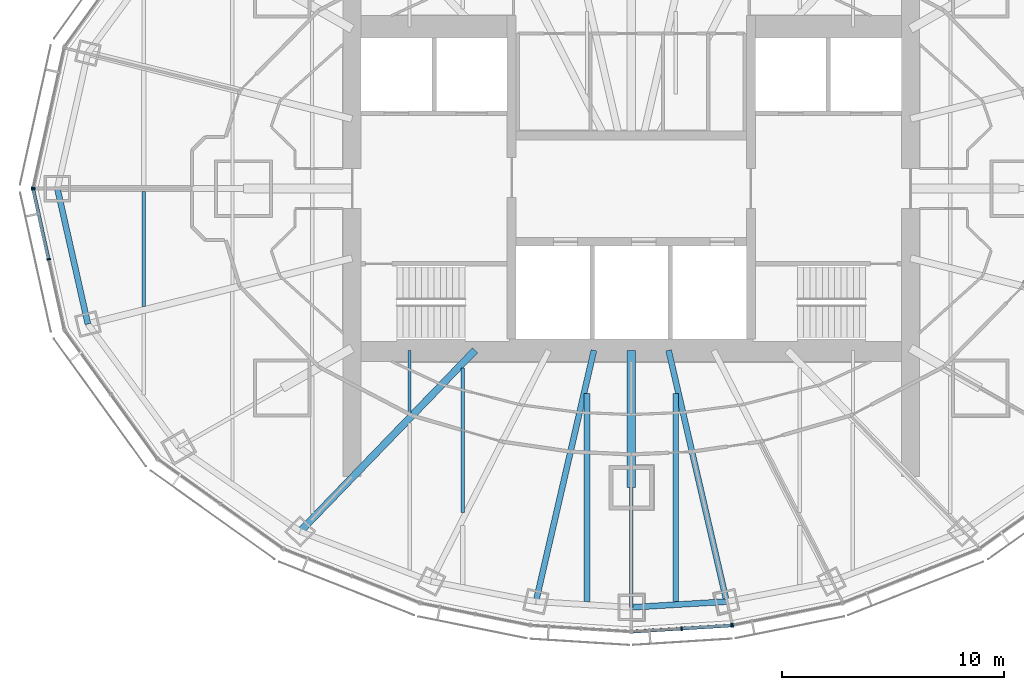
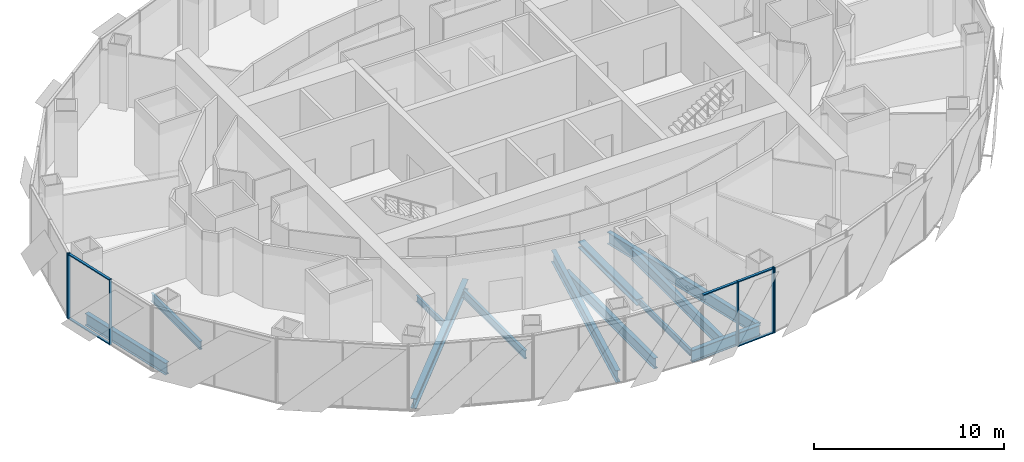
# One storey, part 3 of 17: 12 beams, 11 members, 4 elements without a shape of their own.
"""IFC4 building model written with IfcOpenShell, lengths in metres."""

from ifc_helpers import new_model, si_unit, direction, frame, origin, origin_2d, place, context, subcontext, project, spatial, rectangle, i_section, extrude, material, material_profile, profile_set, type_object, element, aggregate, save


model = new_model("IFC4")

# Units and contexts
model_context = context("Model", 3, precision=1e-05, world=origin(), true_north=direction((0.0, 1.0)))
body_context = subcontext(model_context, "Body", "Model", "MODEL_VIEW")
ifc_project = project(units=[si_unit("LENGTHUNIT", "METRE"), si_unit("AREAUNIT", "SQUARE_METRE"), si_unit("VOLUMEUNIT", "CUBIC_METRE"), si_unit("PLANEANGLEUNIT", "RADIAN"), si_unit("MASSUNIT", "GRAM", prefix="KILO")], contexts=[model_context])

# Site, building, storey
site_placement = place(None, origin())
site = spatial("IfcSite", under=ifc_project, at=site_placement, CompositionType="ELEMENT")
building_placement = place(site_placement, origin())
building = spatial("IfcBuilding", under=site, at=building_placement, Name="Lantaw Convention Tower", CompositionType="ELEMENT")
storey_placement = place(building_placement, frame((0.0, 0.0, 224.199951171875)))
storey = spatial("IfcBuildingStorey", under=building, at=storey_placement, Name="L52", CompositionType="ELEMENT", Elevation=224.199951171875)

# Beams
ifc_material_1 = material(Name="Steel ASTM A992", Category="steel")
ifc_material_profile_1 = material_profile(ifc_material_1, i_section(OverallWidth=0.2666015625, OverallDepth=0.76953125, WebThickness=0.015625, FlangeThickness=0.025390625, FilletRadius=0.0126953125, at=origin_2d()), Name="W30X132")
ifc_profile_set_1 = profile_set([ifc_material_profile_1], Name="Steel ASTM A992")
beam_type_1 = type_object("IfcBeamType", Name="Beam E W30X132", PredefinedType="SPANDREL", material=ifc_profile_set_1)
beam_1_placement = place(storey_placement, frame((-25.89990234375, 0.0, -0.53466796875), z_axis=(0.219857926596, -0.97553190215, 0.0), x_axis=(0.97553190215, 0.219857926596, 0.0)))
element("IfcBeam", 1, at=beam_1_placement, inside=storey, type_object=beam_type_1, Name="Edge beam 13", PredefinedType="SPANDREL", context=body_context, shape_type="SweptSolid", body=[
    extrude(i_section(OverallWidth=0.2666015625, OverallDepth=0.76953125, WebThickness=0.015625, FlangeThickness=0.025390625, FilletRadius=0.0126953125, at=origin_2d()), origin(), (0.0, 0.0, 1.0), 6.267333984375),
])
beam_2_placement = place(storey_placement, frame((0.0, -18.89990234375, -0.53466796875), z_axis=(0.998210730897, 0.059794119452, 0.0), x_axis=(-0.059794119452, 0.998210730897, 0.0)))
element("IfcBeam", 2, at=beam_2_placement, inside=storey, type_object=beam_type_1, Name="Edge beam 19", PredefinedType="SPANDREL", context=body_context, shape_type="SweptSolid", body=[
    extrude(i_section(OverallWidth=0.2666015625, OverallDepth=0.76953125, WebThickness=0.015625, FlangeThickness=0.025390625, FilletRadius=0.0126953125, at=origin_2d()), origin(), (0.0, 0.0, 1.0), 4.311767578125),
])
ifc_material_profile_2 = material_profile(ifc_material_1, i_section(OverallWidth=0.140380859375, OverallDepth=0.40380859375, WebThickness=0.007080078125, FlangeThickness=0.01123046875, FilletRadius=0.01025390625, at=origin_2d()), Name="W16X31")
ifc_profile_set_2 = profile_set([ifc_material_profile_2], Name="Steel ASTM A992")
beam_type_2 = type_object("IfcBeamType", Name="Beam G W16X31", PredefinedType="BEAM", material=ifc_profile_set_2)
beam_3_placement = place(storey_placement, frame((0.0, -13.5, -0.351806640625), z_axis=(0.0, -1.0, 0.0), x_axis=(1.0, 0.0, 0.0)))
element("IfcBeam", 3, at=beam_3_placement, inside=storey, type_object=beam_type_2, Name="Floor girder on ray 19", PredefinedType="BEAM", context=body_context, shape_type="SweptSolid", body=[
    extrude(i_section(OverallWidth=0.140380859375, OverallDepth=0.40380859375, WebThickness=0.007080078125, FlangeThickness=0.01123046875, FilletRadius=0.01025390625, at=origin_2d()), origin(), (0.0, 0.0, 1.0), 5.39990234375),
])
ifc_material_profile_3 = material_profile(ifc_material_1, i_section(OverallWidth=0.32763671875, OverallDepth=0.64013671875, WebThickness=0.01904296875, FlangeThickness=0.033935546875, FilletRadius=0.0126953125, at=origin_2d()), Name="W24X176")
ifc_profile_set_3 = profile_set([ifc_material_profile_3], Name="Steel ASTM A992")
beam_type_3 = type_object("IfcBeamType", Name="Beam G W24X176", PredefinedType="BEAM", material=ifc_profile_set_3)
beam_4_placement = place(storey_placement, frame((-7.049560546875, -7.300048828125, -0.469970703125), z_axis=(-0.694657766726, -0.719340383356, 0.0), x_axis=(0.719340383356, -0.694657766726, 0.0)))
element("IfcBeam", 4, at=beam_4_placement, inside=storey, type_object=beam_type_3, Name="Floor girder on ray 16", PredefinedType="BEAM", context=body_context, shape_type="SweptSolid", body=[
    extrude(i_section(OverallWidth=0.32763671875, OverallDepth=0.64013671875, WebThickness=0.01904296875, FlangeThickness=0.033935546875, FilletRadius=0.0126953125, at=origin_2d()), origin(), (0.0, 0.0, 1.0), 11.364990234375),
])
ifc_material_profile_4 = material_profile(ifc_material_1, i_section(OverallWidth=0.2666015625, OverallDepth=0.7568359375, WebThickness=0.013916015625, FlangeThickness=0.019287109375, FilletRadius=0.0126953125, at=origin_2d()), Name="W30X108")
ifc_profile_set_4 = profile_set([ifc_material_profile_4], Name="Steel ASTM A992")
beam_type_4 = type_object("IfcBeamType", Name="Beam G W30X108", PredefinedType="BEAM", material=ifc_profile_set_4)
for number, where, z_axis, x_axis, name in (
    (5, (-1.685302734375, -7.300048828125, -0.5283203125), (-0.224962134377, -0.974367506692, 0.0), (0.974367506692, -0.224962134377, 0.0), "Floor girder on ray 18"),
    (6, (1.685302734375, -7.300048828125, -0.5283203125), (0.224962134377, -0.974367506692, 0.0), (0.974367506692, 0.224962134377, 0.0), "Floor girder on ray 20"),
):
    element("IfcBeam", number, at=place(storey_placement, frame(where, z_axis=z_axis, x_axis=x_axis)), inside=storey, type_object=beam_type_4, Name=name, PredefinedType="BEAM", context=body_context, shape_type="SweptSolid", body=[
        extrude(i_section(OverallWidth=0.2666015625, OverallDepth=0.7568359375, WebThickness=0.013916015625, FlangeThickness=0.019287109375, FilletRadius=0.0126953125, at=origin_2d()), origin(), (0.0, 0.0, 1.0), 11.640380859375),
    ])
ifc_material_profile_5 = material_profile(ifc_material_1, i_section(OverallWidth=0.40380859375, OverallDepth=0.406494140625, WebThickness=0.027099609375, FlangeThickness=0.043701171875, FilletRadius=0.01513671875, at=origin_2d()), Name="W14X233")
ifc_profile_set_5 = profile_set([ifc_material_profile_5], Name="Steel ASTM A992")
beam_type_5 = type_object("IfcBeamType", Name="Beam GM W14X233", PredefinedType="BEAM", material=ifc_profile_set_5)
beam_5_placement = place(storey_placement, frame((0.0, -7.300048828125, -0.353271484375), z_axis=(0.0, -1.0, 0.0), x_axis=(1.0, 0.0, 0.0)))
element("IfcBeam", 7, at=beam_5_placement, inside=storey, type_object=beam_type_5, Name="Core link beam on ray 19", PredefinedType="BEAM", context=body_context, shape_type="SweptSolid", body=[
    extrude(i_section(OverallWidth=0.40380859375, OverallDepth=0.406494140625, WebThickness=0.027099609375, FlangeThickness=0.043701171875, FilletRadius=0.01513671875, at=origin_2d()), origin(), (0.0, 0.0, 1.0), 6.199951171875),
])
ifc_material_profile_6 = material_profile(ifc_material_1, i_section(OverallWidth=0.140380859375, OverallDepth=0.40380859375, WebThickness=0.007080078125, FlangeThickness=0.01123046875, FilletRadius=0.01025390625, at=origin_2d()), Name="W16X31")
ifc_profile_set_6 = profile_set([ifc_material_profile_6], Name="Steel ASTM A992")
beam_type_6 = type_object("IfcBeamType", Name="Beam J W16X31", PredefinedType="JOIST", material=ifc_profile_set_6)
beam_6_placement = place(storey_placement, frame((-10.0, -10.119384765625, -0.351806640625), z_axis=(0.0, 1.0, 0.0), x_axis=(-1.0, 0.0, 0.0)))
element("IfcBeam", 8, at=beam_6_placement, inside=storey, type_object=beam_type_6, Name="Floor joist", PredefinedType="JOIST", context=body_context, shape_type="SweptSolid", body=[
    extrude(i_section(OverallWidth=0.140380859375, OverallDepth=0.40380859375, WebThickness=0.007080078125, FlangeThickness=0.01123046875, FilletRadius=0.01025390625, at=origin_2d()), origin(), (0.0, 0.0, 1.0), 2.8193359375),
])
ifc_material_profile_7 = material_profile(ifc_material_1, i_section(OverallWidth=0.1650390625, OverallDepth=0.52587890625, WebThickness=0.0087890625, FlangeThickness=0.011474609375, FilletRadius=0.0126953125, at=origin_2d()), Name="W21X44")
ifc_profile_set_7 = profile_set([ifc_material_profile_7], Name="Steel ASTM A992")
beam_type_7 = type_object("IfcBeamType", Name="Beam J W21X44", PredefinedType="JOIST", material=ifc_profile_set_7)
beam_7_placement = place(storey_placement, frame((-22.0, -5.326904296875, -0.412841796875), z_axis=(0.0, 1.0, 0.0), x_axis=(-1.0, 0.0, 0.0)))
element("IfcBeam", 9, at=beam_7_placement, inside=storey, type_object=beam_type_7, Name="Floor joist", PredefinedType="JOIST", context=body_context, shape_type="SweptSolid", body=[
    extrude(i_section(OverallWidth=0.1650390625, OverallDepth=0.52587890625, WebThickness=0.0087890625, FlangeThickness=0.011474609375, FilletRadius=0.0126953125, at=origin_2d()), origin(), (0.0, 0.0, 1.0), 5.199951171875),
])
beam_8_placement = place(storey_placement, frame((-7.60009765625, -14.6220703125, -0.412841796875), z_axis=(0.0, 1.0, 0.0), x_axis=(-1.0, 0.0, 0.0)))
element("IfcBeam", 10, at=beam_8_placement, inside=storey, type_object=beam_type_7, Name="Floor joist", PredefinedType="JOIST", context=body_context, shape_type="SweptSolid", body=[
    extrude(i_section(OverallWidth=0.1650390625, OverallDepth=0.52587890625, WebThickness=0.0087890625, FlangeThickness=0.011474609375, FilletRadius=0.0126953125, at=origin_2d()), origin(), (0.0, 0.0, 1.0), 6.51611328125),
])
ifc_material_profile_8 = material_profile(ifc_material_1, i_section(OverallWidth=0.25390625, OverallDepth=0.683349609375, WebThickness=0.012451171875, FlangeThickness=0.01904296875, FilletRadius=0.01513671875, at=origin_2d()), Name="W27X94")
ifc_profile_set_8 = profile_set([ifc_material_profile_8], Name="Steel ASTM A992")
beam_type_8 = type_object("IfcBeamType", Name="Beam J W27X94", PredefinedType="JOIST", material=ifc_profile_set_8)
for number, where, z_axis, x_axis, name in (
    (11, (-2.0, -18.646484375, -0.49169921875), (0.0, 1.0, 0.0), (-1.0, 0.0, 0.0), "Floor joist"),
    (12, (2.0, -18.646484375, -0.49169921875), (0.0, 1.0, 0.0), (-1.0, 0.0, 0.0), "Floor joist"),
):
    element("IfcBeam", number, at=place(storey_placement, frame(where, z_axis=z_axis, x_axis=x_axis)), inside=storey, type_object=beam_type_8, Name=name, PredefinedType="JOIST", context=body_context, shape_type="SweptSolid", body=[
        extrude(i_section(OverallWidth=0.25390625, OverallDepth=0.683349609375, WebThickness=0.012451171875, FlangeThickness=0.01904296875, FilletRadius=0.01513671875, at=origin_2d()), origin(), (0.0, 0.0, 1.0), 9.390625),
    ])

# Curtain wall, member
ifc_material_2 = material(Name="Aluminium framed curtain wall", Category="aluminium")
curtain_wall_type = type_object("IfcCurtainWallType", Name="Office curtain wall high rise, pale aluminium", PredefinedType="USERDEFINED", material=ifc_material_2)
curtain_wall_1_placement = place(storey_placement, origin())
curtain_wall_1 = element("IfcCurtainWall", 13, at=curtain_wall_1_placement, inside=storey, type_object=curtain_wall_type, Name="Office curtain wall high rise, pale aluminium L52", ObjectType="UNITISED CURTAIN WALL", PredefinedType="USERDEFINED")
ifc_material_3 = material(Name="Aluminium 6063-T6", Category="aluminium")
ifc_material_profile_9 = material_profile(ifc_material_3, rectangle(XDim=0.179931640625, YDim=0.06494140625, at=origin_2d()), Name="CW-O2 mullion 65x180")
ifc_profile_set_9 = profile_set([ifc_material_profile_9], Name="Aluminium 6063-T6")
member_type_1 = type_object("IfcMemberType", Name="CW-O2 mullion 65x180", PredefinedType="MULLION", material=ifc_profile_set_9)
member_1_placement = place(storey_placement, frame((-26.992919921875, 0.03173828125, -0.14990234375), z_axis=(0.0, 0.0, 1.0), x_axis=(0.976417396437, -0.215891333626, 0.0)))
member_1 = element("IfcMember", 14, at=member_1_placement, type_object=member_type_1, Name="CW-O2 mullion 3", PredefinedType="MULLION", context=body_context, shape_type="SweptSolid", body=[
    extrude(rectangle(XDim=0.179931640625, YDim=0.06494140625, at=origin_2d()), origin(), (0.0, 0.0, 1.0), 4.199951171875),
])
aggregate(curtain_wall_1, [member_1])

# Curtain wall, members
curtain_wall_2_placement = place(storey_placement, origin())
curtain_wall_2 = element("IfcCurtainWall", 15, at=curtain_wall_2_placement, inside=storey, type_object=curtain_wall_type, Name="Office curtain wall high rise, pale aluminium L52", ObjectType="UNITISED CURTAIN WALL", PredefinedType="USERDEFINED")
member_2_placement = place(storey_placement, frame((-26.992919921875, -0.03173828125, -0.14990234375), z_axis=(0.0, 0.0, 1.0), x_axis=(0.976417396437, 0.215891333626, 0.0)))
member_2 = element("IfcMember", 16, at=member_2_placement, type_object=member_type_1, Name="CW-O2 mullion 1", PredefinedType="MULLION", context=body_context, shape_type="SweptSolid", body=[
    extrude(rectangle(XDim=0.179931640625, YDim=0.06494140625, at=origin_2d()), origin(), (0.0, 0.0, 1.0), 4.199951171875),
])
member_3_placement = place(storey_placement, frame((-26.294677734375, -3.190185546875, -0.14990234375), z_axis=(0.0, 0.0, 1.0), x_axis=(0.976417396437, 0.215891333626, 0.0)))
member_3 = element("IfcMember", 17, at=member_3_placement, type_object=member_type_1, Name="CW-O2 mullion 2", PredefinedType="MULLION", context=body_context, shape_type="SweptSolid", body=[
    extrude(rectangle(XDim=0.179931640625, YDim=0.06494140625, at=origin_2d()), origin(), (0.0, 0.0, 1.0), 4.199951171875),
])

curtain_wall_3_placement = place(storey_placement, origin())
curtain_wall_3 = element("IfcCurtainWall", 18, at=curtain_wall_3_placement, inside=storey, type_object=curtain_wall_type, Name="Office curtain wall high rise, pale aluminium L52", ObjectType="UNITISED CURTAIN WALL", PredefinedType="USERDEFINED")
member_4_placement = place(storey_placement, frame((2.275634765625, -19.85693359375, -0.14990234375), z_axis=(0.0, 0.0, 1.0), x_axis=(-0.062757983884, 0.998028774865, 0.0)))
member_4 = element("IfcMember", 19, at=member_4_placement, type_object=member_type_1, Name="CW-O2 mullion 2", PredefinedType="MULLION", context=body_context, shape_type="SweptSolid", body=[
    extrude(rectangle(XDim=0.179931640625, YDim=0.06494140625, at=origin_2d()), origin(), (0.0, 0.0, 1.0), 4.199951171875),
])
member_5_placement = place(storey_placement, frame((4.518798828125, -19.7158203125, -0.14990234375), z_axis=(0.0, 0.0, 1.0), x_axis=(-0.062757983884, 0.998028774865, 0.0)))
member_5 = element("IfcMember", 20, at=member_5_placement, type_object=member_type_1, Name="CW-O2 mullion 3", PredefinedType="MULLION", context=body_context, shape_type="SweptSolid", body=[
    extrude(rectangle(XDim=0.179931640625, YDim=0.06494140625, at=origin_2d()), origin(), (0.0, 0.0, 1.0), 4.199951171875),
])

# Curtain wall, member
curtain_wall_4_placement = place(storey_placement, origin())
curtain_wall_4 = element("IfcCurtainWall", 21, at=curtain_wall_4_placement, inside=storey, type_object=curtain_wall_type, Name="Office curtain wall high rise, pale aluminium L52", ObjectType="UNITISED CURTAIN WALL", PredefinedType="USERDEFINED")
member_6_placement = place(storey_placement, frame((4.583251953125, -19.70751953125, -0.14990234375), z_axis=(0.0, 0.0, 1.0), x_axis=(-0.197183095987, 0.980366679695, 0.0)))
member_6 = element("IfcMember", 22, at=member_6_placement, type_object=member_type_1, Name="CW-O2 mullion 1", PredefinedType="MULLION", context=body_context, shape_type="SweptSolid", body=[
    extrude(rectangle(XDim=0.179931640625, YDim=0.06494140625, at=origin_2d()), origin(), (0.0, 0.0, 1.0), 4.199951171875),
])
aggregate(curtain_wall_4, [member_6])

# Member
ifc_material_profile_10 = material_profile(ifc_material_3, rectangle(XDim=0.14990234375, YDim=0.06494140625, at=origin_2d()), Name="CW-O2 transom 65x150")
ifc_profile_set_10 = profile_set([ifc_material_profile_10], Name="Aluminium 6063-T6")
member_type_2 = type_object("IfcMemberType", Name="CW-O2 transom 65x150", PredefinedType="USERDEFINED", material=ifc_profile_set_10)
member_7_placement = place(storey_placement, frame((-26.986083984375, -0.0634765625, -0.117431640625), z_axis=(0.215894607042, -0.976416672661, 0.0), x_axis=(0.976416672661, 0.215894607042, 0.0)))
member_7 = element("IfcMember", 23, at=member_7_placement, type_object=member_type_2, Name="CW-O2 transom 1.1", ObjectType="TRANSOM", PredefinedType="USERDEFINED", context=body_context, shape_type="SweptSolid", body=[
    extrude(rectangle(XDim=0.14990234375, YDim=0.06494140625, at=origin_2d()), origin(), (0.0, 0.0, 1.0), 3.169677734375),
])

member_8_placement = place(storey_placement, frame((-26.986083984375, -0.0634765625, 4.017578125), z_axis=(0.215894607042, -0.976416672661, 0.0), x_axis=(0.976416672661, 0.215894607042, 0.0)))
member_8 = element("IfcMember", 24, at=member_8_placement, type_object=member_type_2, Name="CW-O2 transom 1.2", ObjectType="TRANSOM", PredefinedType="USERDEFINED", context=body_context, shape_type="SweptSolid", body=[
    extrude(rectangle(XDim=0.14990234375, YDim=0.06494140625, at=origin_2d()), origin(), (0.0, 0.0, 1.0), 3.169677734375),
])

aggregate(curtain_wall_2, [member_2, member_3, member_7, member_8])

member_9_placement = place(storey_placement, frame((0.06494140625, -19.995849609375, 4.017578125), z_axis=(0.998029003644, 0.062754345555, 0.0), x_axis=(-0.062754345555, 0.998029003644, 0.0)))
member_9 = element("IfcMember", 25, at=member_9_placement, type_object=member_type_2, Name="CW-O2 transom 1.2", ObjectType="TRANSOM", PredefinedType="USERDEFINED", context=body_context, shape_type="SweptSolid", body=[
    extrude(rectangle(XDim=0.14990234375, YDim=0.06494140625, at=origin_2d()), origin(), (0.0, 0.0, 1.0), 2.1826171875),
])

member_10_placement = place(storey_placement, frame((2.30810546875, -19.85498046875, -0.117431640625), z_axis=(0.998021991509, 0.062865765437, 0.0), x_axis=(-0.062865765437, 0.998021991509, 0.0)))
member_10 = element("IfcMember", 26, at=member_10_placement, type_object=member_type_2, Name="CW-O2 transom 2.1", ObjectType="TRANSOM", PredefinedType="USERDEFINED", context=body_context, shape_type="SweptSolid", body=[
    extrude(rectangle(XDim=0.14990234375, YDim=0.06494140625, at=origin_2d()), origin(), (0.0, 0.0, 1.0), 2.1826171875),
])

member_11_placement = place(storey_placement, frame((2.30810546875, -19.85498046875, 4.017578125), z_axis=(0.998021991509, 0.062865765437, 0.0), x_axis=(-0.062865765437, 0.998021991509, 0.0)))
member_11 = element("IfcMember", 27, at=member_11_placement, type_object=member_type_2, Name="CW-O2 transom 2.2", ObjectType="TRANSOM", PredefinedType="USERDEFINED", context=body_context, shape_type="SweptSolid", body=[
    extrude(rectangle(XDim=0.14990234375, YDim=0.06494140625, at=origin_2d()), origin(), (0.0, 0.0, 1.0), 2.1826171875),
])

aggregate(curtain_wall_3, [member_4, member_5, member_9, member_10, member_11])

save(model, "model.ifc")
